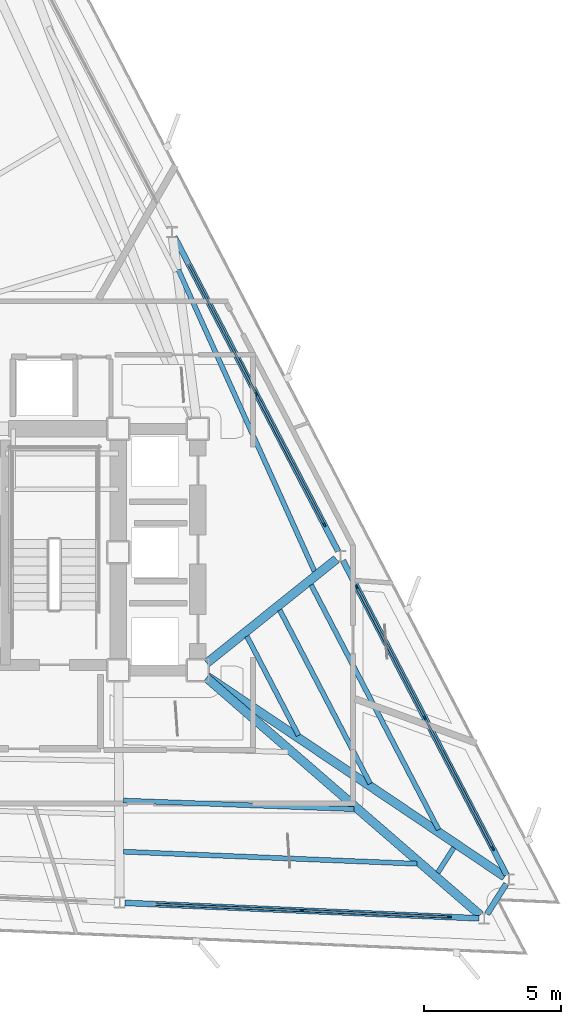
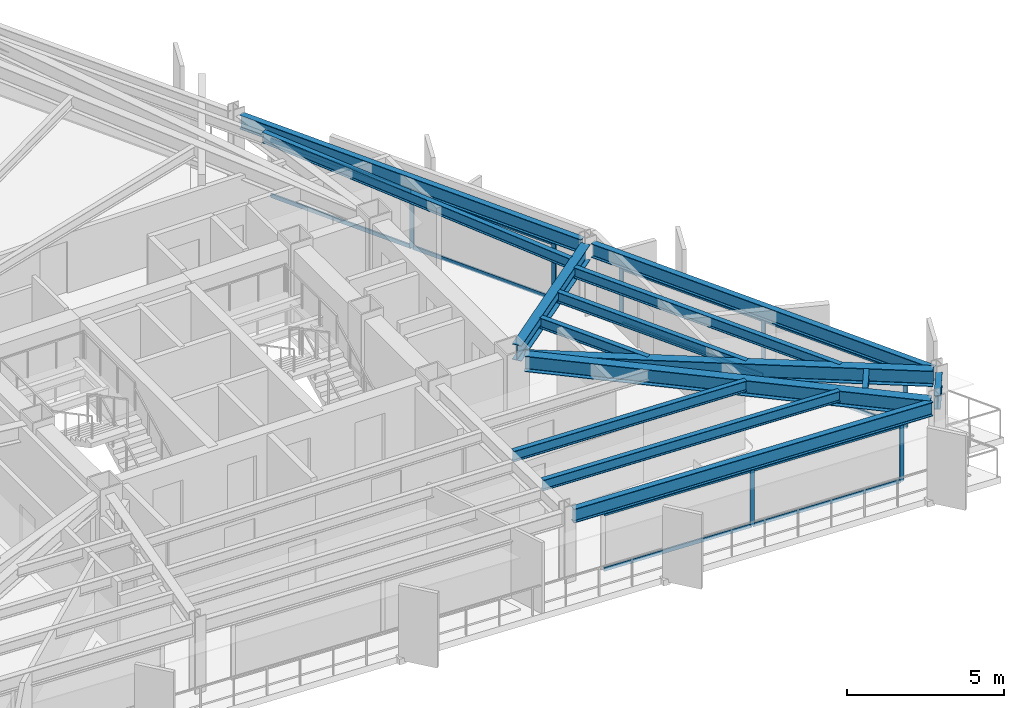
# One storey, part 5 of 12: 19 members, 14 beams, 3 elements without a shape of their own.
"""IFC4 building model written with IfcOpenShell, lengths in metres."""

from ifc_helpers import new_model, si_unit, direction, frame, origin, origin_2d, place, context, subcontext, project, spatial, rectangle, i_section, extrude, material, layer, layer_set, material_profile, profile_set, type_object, element, aggregate, save


model = new_model("IFC4")

# Units and contexts
model_context = context("Model", 3, precision=1e-05, world=origin(), true_north=direction((0.0, 1.0)))
body_context = subcontext(model_context, "Body", "Model", "MODEL_VIEW")
ifc_project = project(units=[si_unit("LENGTHUNIT", "METRE"), si_unit("AREAUNIT", "SQUARE_METRE"), si_unit("VOLUMEUNIT", "CUBIC_METRE"), si_unit("PLANEANGLEUNIT", "RADIAN"), si_unit("MASSUNIT", "GRAM", prefix="KILO")], contexts=[model_context])

# Site, building, storey
site_placement = place(None, origin())
site = spatial("IfcSite", under=ifc_project, at=site_placement, CompositionType="ELEMENT")
building_placement = place(site_placement, origin())
building = spatial("IfcBuilding", under=site, at=building_placement, Name="Rocaltana Carrier Exchange", CompositionType="ELEMENT")
storey_placement = place(building_placement, frame((0.0, 0.0, 138.080078125)))
storey = spatial("IfcBuildingStorey", under=building, at=storey_placement, Name="L43", CompositionType="ELEMENT", Elevation=138.080078125)

# Curtain wall, members
ifc_material_1 = material(Name="Aluminium 6063-T6", Category="aluminium")
ifc_layer = layer(ifc_material_1, 0.14990234375)
ifc_layer_set = layer_set([ifc_layer], Name="Aluminium 6063-T6")
curtain_wall_type = type_object("IfcCurtainWallType", Name="Mid-Tower Unitised Curtain Wall CW-03", PredefinedType="NOTDEFINED", material=ifc_layer_set)
curtain_wall_1_placement = place(storey_placement, origin())
curtain_wall_1 = element("IfcCurtainWall", 1, at=curtain_wall_1_placement, inside=storey, type_object=curtain_wall_type, Name="L43 CW-03 Run CW-L43-F1S1", PredefinedType="NOTDEFINED")
ifc_material_2 = material(Name="Aluminium 6063-T6", Category="aluminium")
ifc_material_profile_1 = material_profile(ifc_material_2, rectangle(XDim=0.06005859375, YDim=0.14990234375, at=origin_2d()), Name="AL-60X150")
ifc_profile_set_1 = profile_set([ifc_material_profile_1], Name="Aluminium 6063-T6")
member_type_1 = type_object("IfcMemberType", Name="CW-03 Mullion AL-60X150", PredefinedType="MULLION", material=ifc_profile_set_1)
member_1_placement = place(storey_placement, frame((19.700439453125, -10.792724609375, 0.0), z_axis=(0.0, 0.0, 1.0), x_axis=(-0.887009929614, -0.461750348962, 0.0)))
member_1 = element("IfcMember", 2, at=member_1_placement, type_object=member_type_1, Name="CW-03 mullion 1", PredefinedType="MULLION", context=body_context, shape_type="SweptSolid", body=[
    extrude(rectangle(XDim=0.06005859375, YDim=0.14990234375, at=origin_2d()), origin(), (0.0, 0.0, 1.0), 2.218017578125),
])
member_2_placement = place(storey_placement, frame((17.220947265625, -6.029541015625, 0.0), z_axis=(0.0, 0.0, 1.0), x_axis=(-0.887009929614, -0.461750348962, 0.0)))
member_2 = element("IfcMember", 3, at=member_2_placement, type_object=member_type_1, Name="CW-03 mullion 2", PredefinedType="MULLION", context=body_context, shape_type="SweptSolid", body=[
    extrude(rectangle(XDim=0.06005859375, YDim=0.14990234375, at=origin_2d()), origin(), (0.0, 0.0, 1.0), 2.218017578125),
])
member_3_placement = place(storey_placement, frame((14.7412109375, -1.266357421875, 0.0), z_axis=(0.0, 0.0, 1.0), x_axis=(-0.887009929614, -0.461750348962, 0.0)))
member_3 = element("IfcMember", 4, at=member_3_placement, type_object=member_type_1, Name="CW-03 mullion 3", PredefinedType="MULLION", context=body_context, shape_type="SweptSolid", body=[
    extrude(rectangle(XDim=0.06005859375, YDim=0.14990234375, at=origin_2d()), origin(), (0.0, 0.0, 1.0), 2.218017578125),
])

curtain_wall_2_placement = place(storey_placement, origin())
curtain_wall_2 = element("IfcCurtainWall", 5, at=curtain_wall_2_placement, inside=storey, type_object=curtain_wall_type, Name="L43 CW-03 Run CW-L43-F1S2", PredefinedType="NOTDEFINED")
member_4_placement = place(storey_placement, frame((13.55908203125, 1.00439453125, 0.0), z_axis=(0.0, 0.0, 1.0), x_axis=(-0.887011747812, -0.461746856235, 0.0)))
member_4 = element("IfcMember", 6, at=member_4_placement, type_object=member_type_1, Name="CW-03 mullion 1", PredefinedType="MULLION", context=body_context, shape_type="SweptSolid", body=[
    extrude(rectangle(XDim=0.06005859375, YDim=0.14990234375, at=origin_2d()), origin(), (0.0, 0.0, 1.0), 2.218017578125),
])
member_5_placement = place(storey_placement, frame((11.07958984375, 5.767578125, 0.0), z_axis=(0.0, 0.0, 1.0), x_axis=(-0.887011747812, -0.461746856235, 0.0)))
member_5 = element("IfcMember", 7, at=member_5_placement, type_object=member_type_1, Name="CW-03 mullion 2", PredefinedType="MULLION", context=body_context, shape_type="SweptSolid", body=[
    extrude(rectangle(XDim=0.06005859375, YDim=0.14990234375, at=origin_2d()), origin(), (0.0, 0.0, 1.0), 2.218017578125),
])

curtain_wall_3_placement = place(storey_placement, origin())
curtain_wall_3 = element("IfcCurtainWall", 8, at=curtain_wall_3_placement, inside=storey, type_object=curtain_wall_type, Name="L43 CW-03 Run CW-L43-F3S3", PredefinedType="NOTDEFINED")
member_6_placement = place(storey_placement, frame((12.742431640625, -13.05908203125, 0.0), z_axis=(0.0, 0.0, 1.0), x_axis=(0.043629290456, 0.999047789154, 0.0)))
member_6 = element("IfcMember", 9, at=member_6_placement, type_object=member_type_1, Name="CW-03 mullion 2", PredefinedType="MULLION", context=body_context, shape_type="SweptSolid", body=[
    extrude(rectangle(XDim=0.06005859375, YDim=0.14990234375, at=origin_2d()), origin(), (0.0, 0.0, 1.0), 2.218017578125),
])
member_7_placement = place(storey_placement, frame((18.107421875, -13.29345703125, 0.0), z_axis=(0.0, 0.0, 1.0), x_axis=(0.043629290456, 0.999047789154, 0.0)))
member_7 = element("IfcMember", 10, at=member_7_placement, type_object=member_type_1, Name="CW-03 mullion 3", PredefinedType="MULLION", context=body_context, shape_type="SweptSolid", body=[
    extrude(rectangle(XDim=0.06005859375, YDim=0.14990234375, at=origin_2d()), origin(), (0.0, 0.0, 1.0), 2.218017578125),
])

# Member
ifc_material_3 = material(Name="Aluminium 6063-T6", Category="aluminium")
ifc_material_profile_2 = material_profile(ifc_material_3, rectangle(XDim=0.06005859375, YDim=0.14990234375, at=origin_2d()), Name="AL-60X150")
ifc_profile_set_2 = profile_set([ifc_material_profile_2], Name="Aluminium 6063-T6")
member_type_2 = type_object("IfcMemberType", Name="CW-03 Transom AL-60X150", PredefinedType="USERDEFINED", material=ifc_profile_set_2)
member_8_placement = place(storey_placement, frame((19.6865234375, -10.76611328125, 0.030029296875), z_axis=(-0.461756588365, 0.887006681543, 0.0), x_axis=(-0.887006681543, -0.461756588365, 0.0)))
member_8 = element("IfcMember", 11, at=member_8_placement, type_object=member_type_2, Name="CW-03 transom 1.1", ObjectType="TRANSOM", PredefinedType="USERDEFINED", context=body_context, shape_type="SweptSolid", body=[
    extrude(rectangle(XDim=0.06005859375, YDim=0.14990234375, at=origin_2d()), origin(), (0.0, 0.0, 1.0), 5.31005859375),
])

member_9_placement = place(storey_placement, frame((19.6865234375, -10.76611328125, 2.18798828125), z_axis=(-0.461756588365, 0.887006681543, 0.0), x_axis=(-0.887006681543, -0.461756588365, 0.0)))
member_9 = element("IfcMember", 12, at=member_9_placement, type_object=member_type_2, Name="CW-03 transom 1.2", ObjectType="TRANSOM", PredefinedType="USERDEFINED", context=body_context, shape_type="SweptSolid", body=[
    extrude(rectangle(XDim=0.06005859375, YDim=0.14990234375, at=origin_2d()), origin(), (0.0, 0.0, 1.0), 5.31005859375),
])

member_10_placement = place(storey_placement, frame((17.20703125, -6.0029296875, 0.030029296875), z_axis=(-0.461756588365, 0.887006681543, 0.0), x_axis=(-0.887006681543, -0.461756588365, 0.0)))
member_10 = element("IfcMember", 13, at=member_10_placement, type_object=member_type_2, Name="CW-03 transom 2.1", ObjectType="TRANSOM", PredefinedType="USERDEFINED", context=body_context, shape_type="SweptSolid", body=[
    extrude(rectangle(XDim=0.06005859375, YDim=0.14990234375, at=origin_2d()), origin(), (0.0, 0.0, 1.0), 5.31005859375),
])

member_11_placement = place(storey_placement, frame((17.20703125, -6.0029296875, 2.18798828125), z_axis=(-0.461756588365, 0.887006681543, 0.0), x_axis=(-0.887006681543, -0.461756588365, 0.0)))
member_11 = element("IfcMember", 14, at=member_11_placement, type_object=member_type_2, Name="CW-03 transom 2.2", ObjectType="TRANSOM", PredefinedType="USERDEFINED", context=body_context, shape_type="SweptSolid", body=[
    extrude(rectangle(XDim=0.06005859375, YDim=0.14990234375, at=origin_2d()), origin(), (0.0, 0.0, 1.0), 5.31005859375),
])

aggregate(curtain_wall_1, [member_1, member_2, member_3, member_8, member_9, member_10, member_11])

member_12_placement = place(storey_placement, frame((13.54541015625, 1.031005859375, 0.030029296875), z_axis=(-0.461737757324, 0.887016484323, 0.0), x_axis=(-0.887016484323, -0.461737757324, 0.0)))
member_12 = element("IfcMember", 15, at=member_12_placement, type_object=member_type_2, Name="CW-03 transom 1.1", ObjectType="TRANSOM", PredefinedType="USERDEFINED", context=body_context, shape_type="SweptSolid", body=[
    extrude(rectangle(XDim=0.06005859375, YDim=0.14990234375, at=origin_2d()), origin(), (0.0, 0.0, 1.0), 5.31005859375),
])

member_13_placement = place(storey_placement, frame((13.54541015625, 1.031005859375, 2.18798828125), z_axis=(-0.461737757324, 0.887016484323, 0.0), x_axis=(-0.887016484323, -0.461737757324, 0.0)))
member_13 = element("IfcMember", 16, at=member_13_placement, type_object=member_type_2, Name="CW-03 transom 1.2", ObjectType="TRANSOM", PredefinedType="USERDEFINED", context=body_context, shape_type="SweptSolid", body=[
    extrude(rectangle(XDim=0.06005859375, YDim=0.14990234375, at=origin_2d()), origin(), (0.0, 0.0, 1.0), 5.31005859375),
])

member_14_placement = place(storey_placement, frame((11.065673828125, 5.794189453125, 0.030029296875), z_axis=(-0.461701582275, 0.887035314362, 0.0), x_axis=(-0.887035314362, -0.461701582275, 0.0)))
member_14 = element("IfcMember", 17, at=member_14_placement, type_object=member_type_2, Name="CW-03 transom 2.1", ObjectType="TRANSOM", PredefinedType="USERDEFINED", context=body_context, shape_type="SweptSolid", body=[
    extrude(rectangle(XDim=0.06005859375, YDim=0.14990234375, at=origin_2d()), origin(), (0.0, 0.0, 1.0), 5.31005859375),
])

member_15_placement = place(storey_placement, frame((11.065673828125, 5.794189453125, 2.18798828125), z_axis=(-0.461701582275, 0.887035314362, 0.0), x_axis=(-0.887035314362, -0.461701582275, 0.0)))
member_15 = element("IfcMember", 18, at=member_15_placement, type_object=member_type_2, Name="CW-03 transom 2.2", ObjectType="TRANSOM", PredefinedType="USERDEFINED", context=body_context, shape_type="SweptSolid", body=[
    extrude(rectangle(XDim=0.06005859375, YDim=0.14990234375, at=origin_2d()), origin(), (0.0, 0.0, 1.0), 5.31005859375),
])

aggregate(curtain_wall_2, [member_4, member_5, member_12, member_13, member_14, member_15])

member_16_placement = place(storey_placement, frame((7.407470703125, -12.826171875, 0.030029296875), z_axis=(0.999047725225, -0.043630754314, 0.0), x_axis=(0.043630754314, 0.999047725225, 0.0)))
member_16 = element("IfcMember", 19, at=member_16_placement, type_object=member_type_2, Name="CW-03 transom 1.1", ObjectType="TRANSOM", PredefinedType="USERDEFINED", context=body_context, shape_type="SweptSolid", body=[
    extrude(rectangle(XDim=0.06005859375, YDim=0.14990234375, at=origin_2d()), origin(), (0.0, 0.0, 1.0), 5.310302734375),
])

member_17_placement = place(storey_placement, frame((7.407470703125, -12.826171875, 2.18798828125), z_axis=(0.999047725225, -0.043630754314, 0.0), x_axis=(0.043630754314, 0.999047725225, 0.0)))
member_17 = element("IfcMember", 20, at=member_17_placement, type_object=member_type_2, Name="CW-03 transom 1.2", ObjectType="TRANSOM", PredefinedType="USERDEFINED", context=body_context, shape_type="SweptSolid", body=[
    extrude(rectangle(XDim=0.06005859375, YDim=0.14990234375, at=origin_2d()), origin(), (0.0, 0.0, 1.0), 5.310302734375),
])

member_18_placement = place(storey_placement, frame((12.7724609375, -13.060546875, 0.030029296875), z_axis=(0.999047637698, -0.043632758442, 0.0), x_axis=(0.043632758442, 0.999047637698, 0.0)))
member_18 = element("IfcMember", 21, at=member_18_placement, type_object=member_type_2, Name="CW-03 transom 2.1", ObjectType="TRANSOM", PredefinedType="USERDEFINED", context=body_context, shape_type="SweptSolid", body=[
    extrude(rectangle(XDim=0.06005859375, YDim=0.14990234375, at=origin_2d()), origin(), (0.0, 0.0, 1.0), 5.31005859375),
])

member_19_placement = place(storey_placement, frame((12.7724609375, -13.060546875, 2.18798828125), z_axis=(0.999047637698, -0.043632758442, 0.0), x_axis=(0.043632758442, 0.999047637698, 0.0)))
member_19 = element("IfcMember", 22, at=member_19_placement, type_object=member_type_2, Name="CW-03 transom 2.2", ObjectType="TRANSOM", PredefinedType="USERDEFINED", context=body_context, shape_type="SweptSolid", body=[
    extrude(rectangle(XDim=0.06005859375, YDim=0.14990234375, at=origin_2d()), origin(), (0.0, 0.0, 1.0), 5.31005859375),
])

aggregate(curtain_wall_3, [member_6, member_7, member_16, member_17, member_18, member_19])

# Beams
ifc_material_4 = material(Name="Steel S355", Category="steel")
ifc_material_profile_3 = material_profile(ifc_material_4, i_section(OverallWidth=0.179931640625, OverallDepth=0.4130859375, WebThickness=0.009765625, FlangeThickness=0.01611328125, FilletRadius=0.012939453125, at=origin_2d()), Name="W16X50")
ifc_profile_set_3 = profile_set([ifc_material_profile_3], Name="Steel S355")
beam_type_1 = type_object("IfcBeamType", Name="Floor Joist W16X50", PredefinedType="JOIST", material=ifc_profile_set_3)
beam_1_placement = place(storey_placement, frame((12.62060546875, -6.678955078125, 2.58154296875), z_axis=(-0.461741088253, 0.887014750395, 0.0), x_axis=(-0.887014750395, -0.461741088253, 0.0)))
element("IfcBeam", 23, at=beam_1_placement, inside=storey, type_object=beam_type_1, Name="FJ-L43-01-1", PredefinedType="JOIST", context=body_context, shape_type="SweptSolid", body=[
    extrude(i_section(OverallWidth=0.179931640625, OverallDepth=0.4130859375, WebThickness=0.009765625, FlangeThickness=0.01611328125, FilletRadius=0.012939453125, at=origin_2d()), origin(), (0.0, 0.0, 1.0), 4.0771484375),
])
beam_2_placement = place(storey_placement, frame((15.229248046875, -8.433349609375, 2.58154296875), z_axis=(-0.461769572887, 0.886999921959, 0.0), x_axis=(-0.886999921959, -0.461769572887, 0.0)))
element("IfcBeam", 24, at=beam_2_placement, inside=storey, type_object=beam_type_1, Name="FJ-L43-01-2", PredefinedType="JOIST", context=body_context, shape_type="SweptSolid", body=[
    extrude(i_section(OverallWidth=0.179931640625, OverallDepth=0.4130859375, WebThickness=0.009765625, FlangeThickness=0.01611328125, FilletRadius=0.012939453125, at=origin_2d()), origin(), (0.0, 0.0, 1.0), 7.135986328125),
])
beam_3_placement = place(storey_placement, frame((17.724365234375, -10.111572265625, 2.58154296875), z_axis=(-0.461760646449, 0.88700456898, 0.0), x_axis=(-0.88700456898, -0.461760646449, 0.0)))
element("IfcBeam", 25, at=beam_3_placement, inside=storey, type_object=beam_type_1, Name="FJ-L43-01-3", PredefinedType="JOIST", context=body_context, shape_type="SweptSolid", body=[
    extrude(i_section(OverallWidth=0.179931640625, OverallDepth=0.4130859375, WebThickness=0.009765625, FlangeThickness=0.01611328125, FilletRadius=0.012939453125, at=origin_2d()), origin(), (0.0, 0.0, 1.0), 10.06201171875),
])
beam_4_placement = place(storey_placement, frame((13.201904296875, -0.697509765625, 2.58154296875), z_axis=(-0.41154987929, 0.911387237598, 0.0), x_axis=(-0.911387237598, -0.41154987929, 0.0)))
element("IfcBeam", 26, at=beam_4_placement, inside=storey, type_object=beam_type_1, Name="FJ-L43-02-3", PredefinedType="JOIST", context=body_context, shape_type="SweptSolid", body=[
    extrude(i_section(OverallWidth=0.179931640625, OverallDepth=0.4130859375, WebThickness=0.009765625, FlangeThickness=0.01611328125, FilletRadius=0.012939453125, at=origin_2d()), origin(), (0.0, 0.0, 1.0), 12.0732421875),
])
beam_5_placement = place(storey_placement, frame((6.233154296875, -9.048583984375, 2.58154296875), z_axis=(0.999306338381, -0.037240328574, 0.0), x_axis=(0.037240328574, 0.999306338381, 0.0)))
element("IfcBeam", 27, at=beam_5_placement, inside=storey, type_object=beam_type_1, Name="FJ-L43-11-2", PredefinedType="JOIST", context=body_context, shape_type="SweptSolid", body=[
    extrude(i_section(OverallWidth=0.179931640625, OverallDepth=0.4130859375, WebThickness=0.009765625, FlangeThickness=0.01611328125, FilletRadius=0.012939453125, at=origin_2d()), origin(), (0.0, 0.0, 1.0), 8.4111328125),
])
beam_6_placement = place(storey_placement, frame((6.243896484375, -10.912353515625, 2.58154296875), z_axis=(0.999155233616, -0.041095244719, 0.0), x_axis=(0.041095244719, 0.999155233616, 0.0)))
element("IfcBeam", 28, at=beam_6_placement, inside=storey, type_object=beam_type_1, Name="FJ-L43-11-3", PredefinedType="JOIST", context=body_context, shape_type="SweptSolid", body=[
    extrude(i_section(OverallWidth=0.179931640625, OverallDepth=0.4130859375, WebThickness=0.009765625, FlangeThickness=0.01611328125, FilletRadius=0.012939453125, at=origin_2d()), origin(), (0.0, 0.0, 1.0), 10.699462890625),
])
beam_7_placement = place(storey_placement, frame((17.69580078125, -11.67919921875, 2.58154296875), z_axis=(0.537311646576, 0.843383776495, 0.0), x_axis=(-0.843383776495, 0.537311646576, 0.0)))
element("IfcBeam", 29, at=beam_7_placement, inside=storey, type_object=beam_type_1, Name="FJ-L43-12-3", PredefinedType="JOIST", context=body_context, shape_type="SweptSolid", body=[
    extrude(i_section(OverallWidth=0.179931640625, OverallDepth=0.4130859375, WebThickness=0.009765625, FlangeThickness=0.01611328125, FilletRadius=0.012939453125, at=origin_2d()), origin(), (0.0, 0.0, 1.0), 1.08642578125),
])
ifc_material_5 = material(Name="Steel S355", Category="steel")
ifc_material_profile_4 = material_profile(ifc_material_5, i_section(OverallWidth=0.323974609375, OverallDepth=0.611083984375, WebThickness=0.0126953125, FlangeThickness=0.01904296875, FilletRadius=0.01611328125, at=origin_2d()), Name="W24X104")
ifc_profile_set_4 = profile_set([ifc_material_profile_4], Name="Steel S355")
beam_type_2 = type_object("IfcBeamType", Name="Radial Girder W24X104", PredefinedType="BEAM", material=ifc_profile_set_4)
beam_8_placement = place(storey_placement, frame((9.2958984375, -4.53271484375, 2.482421875), z_axis=(0.829777044165, -0.558095025041, 0.0), x_axis=(0.558095025041, 0.829777044165, 0.0)))
element("IfcBeam", 30, at=beam_8_placement, inside=storey, type_object=beam_type_2, Name="RG-L43-01", PredefinedType="BEAM", context=body_context, shape_type="SweptSolid", body=[
    extrude(i_section(OverallWidth=0.323974609375, OverallDepth=0.611083984375, WebThickness=0.0126953125, FlangeThickness=0.01904296875, FilletRadius=0.01611328125, at=origin_2d()), origin(), (0.0, 0.0, 1.0), 13.059814453125),
])
beam_9_placement = place(storey_placement, frame((9.275390625, -4.039306640625, 2.482421875), z_axis=(0.780199806369, 0.625530384667, 0.0), x_axis=(-0.625530384667, 0.780199806369, 0.0)))
element("IfcBeam", 31, at=beam_9_placement, inside=storey, type_object=beam_type_2, Name="RG-L43-02", PredefinedType="BEAM", context=body_context, shape_type="SweptSolid", body=[
    extrude(i_section(OverallWidth=0.323974609375, OverallDepth=0.611083984375, WebThickness=0.0126953125, FlangeThickness=0.01904296875, FilletRadius=0.01611328125, at=origin_2d()), origin(), (0.0, 0.0, 1.0), 6.056640625),
])
beam_10_placement = place(storey_placement, frame((9.26513671875, -4.5732421875, 2.482421875), z_axis=(0.755520684866, -0.655124793257, 0.0), x_axis=(0.655124793257, 0.755520684866, 0.0)))
element("IfcBeam", 32, at=beam_10_placement, inside=storey, type_object=beam_type_2, Name="RG-L43-12", PredefinedType="BEAM", context=body_context, shape_type="SweptSolid", body=[
    extrude(i_section(OverallWidth=0.323974609375, OverallDepth=0.611083984375, WebThickness=0.0126953125, FlangeThickness=0.01904296875, FilletRadius=0.01611328125, at=origin_2d()), origin(), (0.0, 0.0, 1.0), 13.20458984375),
])
ifc_material_6 = material(Name="Steel S355", Category="steel")
ifc_material_profile_5 = material_profile(ifc_material_6, i_section(OverallWidth=0.2119140625, OverallDepth=0.5439453125, WebThickness=0.01318359375, FlangeThickness=0.021240234375, FilletRadius=0.014892578125, at=origin_2d()), Name="W21X83")
ifc_profile_set_5 = profile_set([ifc_material_profile_5], Name="Steel S355")
beam_type_3 = type_object("IfcBeamType", Name="Spandrel Edge Beam W21X83", PredefinedType="SPANDREL", material=ifc_profile_set_5)
beam_11_placement = place(storey_placement, frame((20.203125, -11.75830078125, 2.515869140625), z_axis=(-0.461760336078, 0.887004730554, 0.0), x_axis=(-0.887004730554, -0.461760336078, 0.0)))
element("IfcBeam", 33, at=beam_11_placement, inside=storey, type_object=beam_type_3, Name="SP-L43-01", PredefinedType="SPANDREL", context=body_context, shape_type="SweptSolid", body=[
    extrude(i_section(OverallWidth=0.2119140625, OverallDepth=0.5439453125, WebThickness=0.01318359375, FlangeThickness=0.021240234375, FilletRadius=0.014892578125, at=origin_2d()), origin(), (0.0, 0.0, 1.0), 12.9169921875),
])
beam_12_placement = place(storey_placement, frame((14.061767578125, 0.0390625, 2.515869140625), z_axis=(-0.461753206696, 0.887008441959, 0.0), x_axis=(-0.887008441959, -0.461753206696, 0.0)))
element("IfcBeam", 34, at=beam_12_placement, inside=storey, type_object=beam_type_3, Name="SP-L43-02", PredefinedType="SPANDREL", context=body_context, shape_type="SweptSolid", body=[
    extrude(i_section(OverallWidth=0.2119140625, OverallDepth=0.5439453125, WebThickness=0.01318359375, FlangeThickness=0.021240234375, FilletRadius=0.014892578125, at=origin_2d()), origin(), (0.0, 0.0, 1.0), 12.916748046875),
])
beam_13_placement = place(storey_placement, frame((6.2900390625, -12.777587890625, 2.515869140625), z_axis=(0.999048905187, -0.043603727426, 0.0), x_axis=(0.043603727426, 0.999048905187, 0.0)))
element("IfcBeam", 35, at=beam_13_placement, inside=storey, type_object=beam_type_3, Name="SP-L43-11", PredefinedType="SPANDREL", context=body_context, shape_type="SweptSolid", body=[
    extrude(i_section(OverallWidth=0.2119140625, OverallDepth=0.5439453125, WebThickness=0.01318359375, FlangeThickness=0.021240234375, FilletRadius=0.014892578125, at=origin_2d()), origin(), (0.0, 0.0, 1.0), 12.9169921875),
])
beam_14_placement = place(storey_placement, frame((19.489013671875, -13.187744140625, 2.515869140625), z_axis=(0.537360684566, 0.843352532861, 0.0), x_axis=(-0.843352532861, 0.537360684566, 0.0)))
element("IfcBeam", 36, at=beam_14_placement, inside=storey, type_object=beam_type_3, Name="SP-L43-12", PredefinedType="SPANDREL", context=body_context, shape_type="SweptSolid", body=[
    extrude(i_section(OverallWidth=0.2119140625, OverallDepth=0.5439453125, WebThickness=0.01318359375, FlangeThickness=0.021240234375, FilletRadius=0.014892578125, at=origin_2d()), origin(), (0.0, 0.0, 1.0), 1.302001953125),
])

save(model, "model.ifc")
